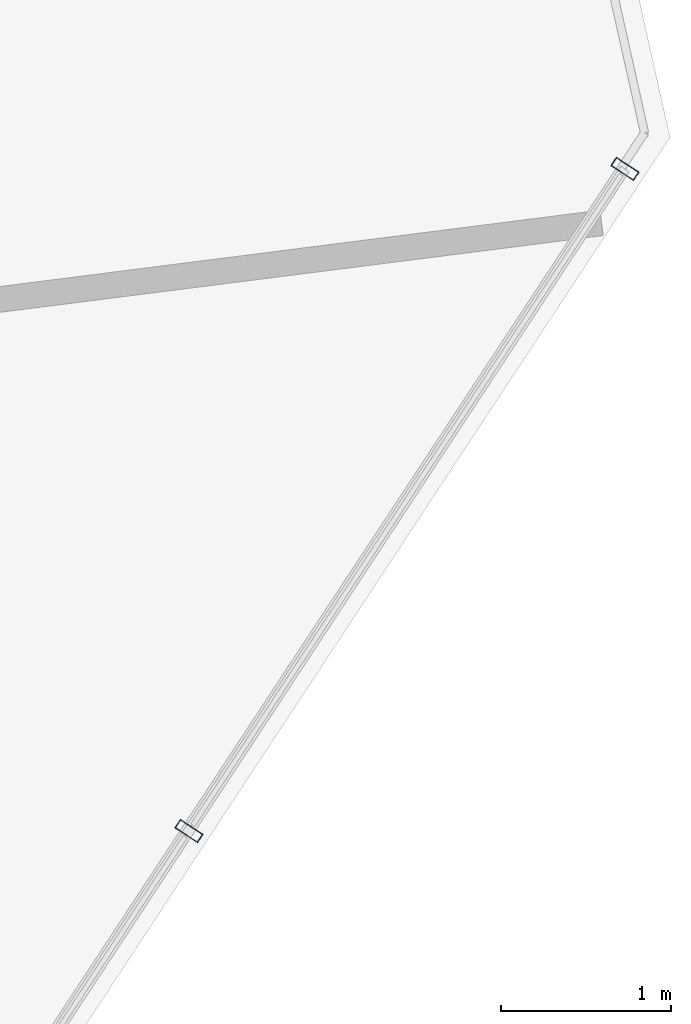
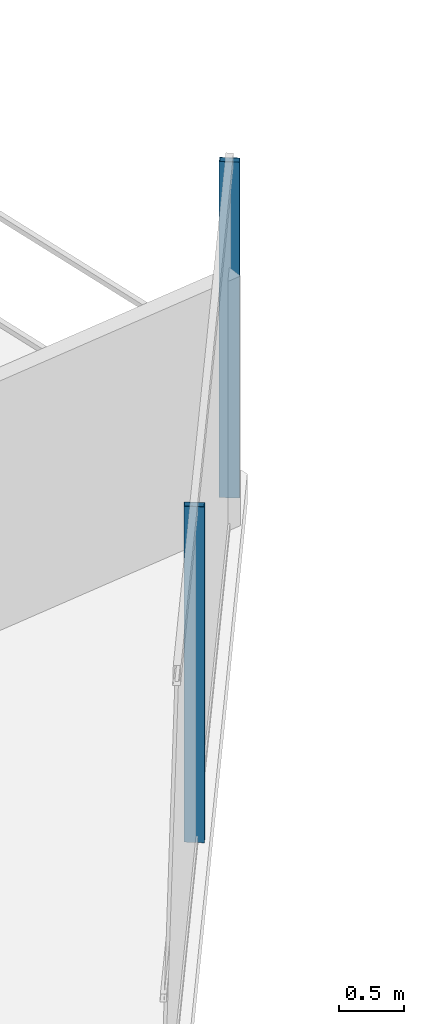
# One storey, part 13 of 28: 2 members, 1 element without a shape of its own.
"""IFC4 building model written with IfcOpenShell, lengths in metres."""

from ifc_helpers import new_model, si_unit, direction, frame, origin, origin_2d, place, context, subcontext, project, spatial, hollow_rectangle, extrude, material, layer, layer_set, material_profile, profile_set, type_object, element, aggregate, save


model = new_model("IFC4")

# Units and contexts
model_context = context("Model", 3, precision=1e-05, world=origin(), true_north=direction((0.0, 1.0)))
body_context = subcontext(model_context, "Body", "Model", "MODEL_VIEW")
ifc_project = project(units=[si_unit("LENGTHUNIT", "METRE"), si_unit("AREAUNIT", "SQUARE_METRE"), si_unit("VOLUMEUNIT", "CUBIC_METRE"), si_unit("PLANEANGLEUNIT", "RADIAN"), si_unit("MASSUNIT", "GRAM", prefix="KILO")], contexts=[model_context])

# Site, building, storey
site_placement = place(None, origin())
site = spatial("IfcSite", under=ifc_project, at=site_placement, CompositionType="ELEMENT")
building_placement = place(site_placement, origin())
building = spatial("IfcBuilding", under=site, at=building_placement, Name="Qarnah Convention Tower", CompositionType="ELEMENT")
storey_placement = place(building_placement, frame((0.0, 0.0, 54.60009765625)))
storey = spatial("IfcBuildingStorey", under=building, at=storey_placement, Name="L13", CompositionType="ELEMENT", Elevation=54.60009765625)

# Curtain wall, members
ifc_material_1 = material(Name="Tempered Low-E dark glass", Category="glass")
ifc_layer = layer(ifc_material_1, 0.16796875)
ifc_layer_set = layer_set([ifc_layer], Name="Tempered Low-E dark glass")
curtain_wall_type = type_object("IfcCurtainWallType", Name="CWS-01", PredefinedType="NOTDEFINED", material=ifc_layer_set)
curtain_wall_placement = place(storey_placement, origin())
curtain_wall = element("IfcCurtainWall", 1, at=curtain_wall_placement, inside=storey, type_object=curtain_wall_type, Name="L13 unitised curtain wall CW-L13-F3", PredefinedType="NOTDEFINED")
ifc_material_2 = material(Name="Black anodised aluminium", Category="aluminium")
ifc_material_profile = material_profile(ifc_material_2, hollow_rectangle(XDim=0.06005859375, YDim=0.159912109375, WallThickness=0.00390625, at=origin_2d()), Name="MUL-60X160")
ifc_profile_set = profile_set([ifc_material_profile], Name="Black anodised aluminium")
member_type = type_object("IfcMemberType", Name="MUL-T1", PredefinedType="MULLION", material=ifc_profile_set)
member_1_placement = place(storey_placement, frame((63.583984375, 30.218994140625, 0.0), z_axis=(0.0, 0.0, 1.0), x_axis=(-0.549912553772, -0.835222235817, 0.0)))
member_1 = element("IfcMember", 2, at=member_1_placement, type_object=member_type, Name="CW-L13-F3 mullion 1", PredefinedType="MULLION", context=body_context, shape_type="SweptSolid", body=[
    extrude(hollow_rectangle(XDim=0.06005859375, YDim=0.159912109375, WallThickness=0.00390625, at=origin_2d()), origin(), (0.0, 0.0, 1.0), 3.169921875),
])
member_2_placement = place(storey_placement, frame((61.025634765625, 26.333251953125, 0.0), z_axis=(0.0, 0.0, 1.0), x_axis=(-0.549912553772, -0.835222235817, 0.0)))
member_2 = element("IfcMember", 3, at=member_2_placement, type_object=member_type, Name="CW-L13-F3 mullion 2", PredefinedType="MULLION", context=body_context, shape_type="SweptSolid", body=[
    extrude(hollow_rectangle(XDim=0.06005859375, YDim=0.159912109375, WallThickness=0.00390625, at=origin_2d()), origin(), (0.0, 0.0, 1.0), 3.169921875),
])
aggregate(curtain_wall, [member_1, member_2])

save(model, "model.ifc")
